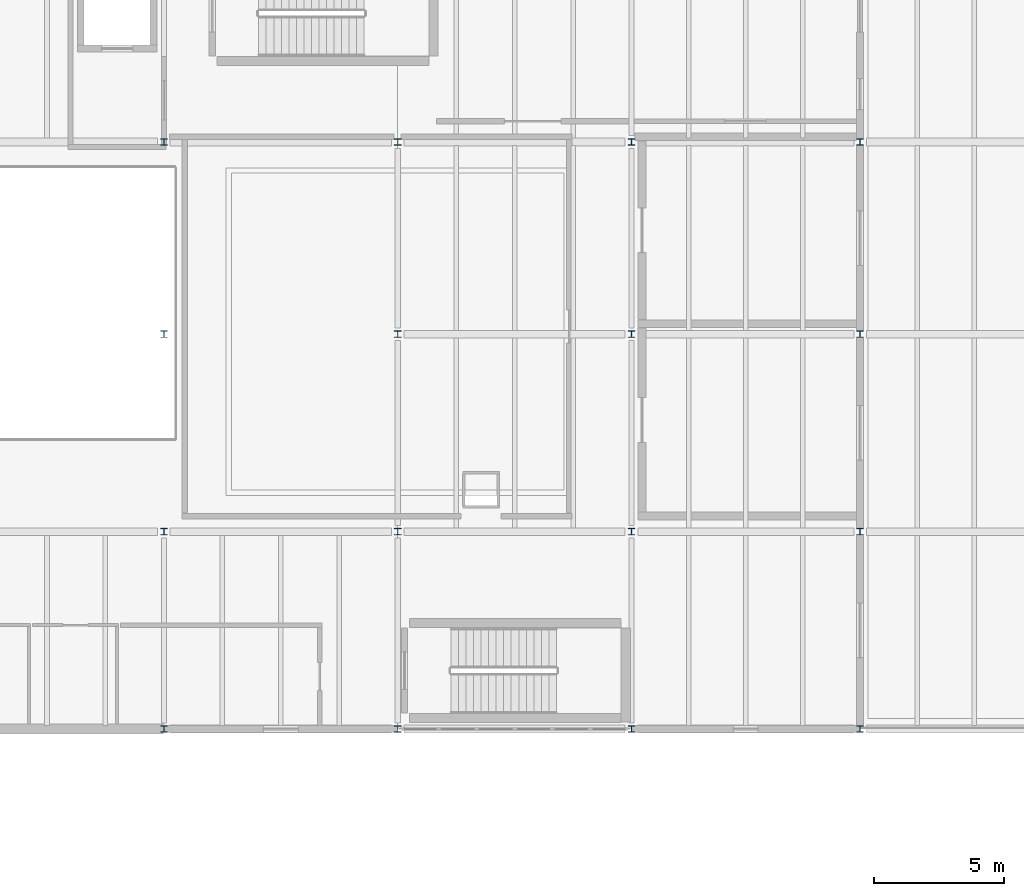
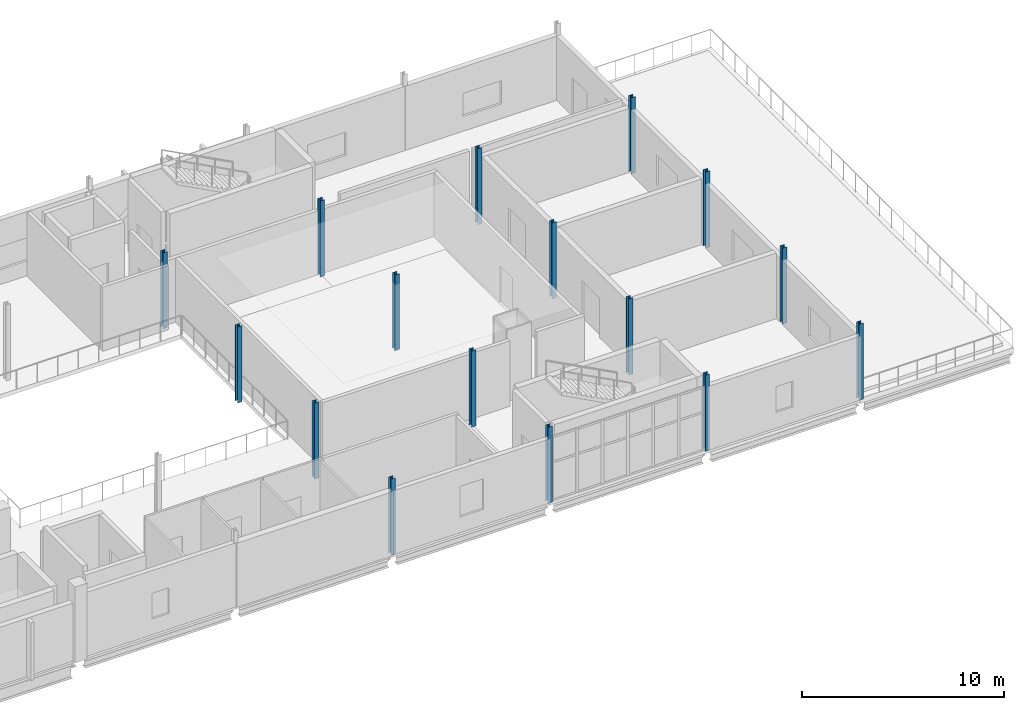
# One storey, part 4 of 37: 16 columns.
"""IFC4 building model written with IfcOpenShell, lengths in metres."""

from ifc_helpers import new_model, si_unit, direction, frame, origin, origin_2d, place, context, subcontext, project, spatial, i_section, extrude, material, material_profile, profile_set, type_object, element, save


model = new_model("IFC4")

# Units and contexts
model_context = context("Model", 3, precision=1e-05, world=origin(), true_north=direction((0.0, 1.0)))
body_context = subcontext(model_context, "Body", "Model", "MODEL_VIEW")
ifc_project = project(units=[si_unit("LENGTHUNIT", "METRE"), si_unit("AREAUNIT", "SQUARE_METRE"), si_unit("VOLUMEUNIT", "CUBIC_METRE"), si_unit("PLANEANGLEUNIT", "RADIAN"), si_unit("MASSUNIT", "GRAM", prefix="KILO")], contexts=[model_context])

# Site, building, storey
site_placement = place(None, origin())
site = spatial("IfcSite", under=ifc_project, at=site_placement, CompositionType="ELEMENT")
building_placement = place(site_placement, origin())
building = spatial("IfcBuilding", under=site, at=building_placement, Name="Shengluoqiao Park Theatre", CompositionType="ELEMENT")
storey_placement = place(building_placement, frame((0.0, 0.0, 19.199951171875)))
storey = spatial("IfcBuildingStorey", under=building, at=storey_placement, Name="L04", CompositionType="ELEMENT", Elevation=19.199951171875)

# Columns
ifc_material = material(Name="Steel Q355", Category="steel")
ifc_material_profile = material_profile(ifc_material, i_section(OverallWidth=0.2548828125, OverallDepth=0.25, WebThickness=0.013916015625, FlangeThickness=0.013916015625, FilletRadius=0.01611328125, at=origin_2d()), Name="HW 250x255x14x14")
ifc_profile_set = profile_set([ifc_material_profile], Name="Steel Q355")
column_type = type_object("IfcColumnType", Name="STR-COL-C-HW255", PredefinedType="COLUMN", material=ifc_profile_set)
for number, where, z_axis, x_axis, name in (
    (1, (130.39990234375, 84.0, 0.0), (0.0, 0.0, 1.0), (1.0, 0.0, 0.0), "L04 Column 0640"),
    (2, (130.39990234375, 91.60009765625, 0.0), (0.0, 0.0, 1.0), (1.0, 0.0, 0.0), "L04 Column 0647"),
    (3, (130.39990234375, 99.199951171875, 0.0), (0.0, 0.0, 1.0), (1.0, 0.0, 0.0), "L04 Column 0654"),
    (4, (130.39990234375, 106.60009765625, 0.0), (0.0, 0.0, 1.0), (1.0, 0.0, 0.0), "L04 Column 0661"),
    (5, (139.39990234375, 84.0, 0.0), (0.0, 0.0, 1.0), (1.0, 0.0, 0.0), "L04 Column 0685"),
    (6, (139.39990234375, 91.60009765625, 0.0), (0.0, 0.0, 1.0), (1.0, 0.0, 0.0), "L04 Column 0692"),
    (7, (139.39990234375, 99.199951171875, 0.0), (0.0, 0.0, 1.0), (1.0, 0.0, 0.0), "L04 Column 0699"),
    (8, (139.39990234375, 106.60009765625, 0.0), (0.0, 0.0, 1.0), (1.0, 0.0, 0.0), "L04 Column 0706"),
    (9, (148.39990234375, 84.0, 0.0), (0.0, 0.0, 1.0), (1.0, 0.0, 0.0), "L04 Column 0742"),
    (10, (148.39990234375, 91.60009765625, 0.0), (0.0, 0.0, 1.0), (1.0, 0.0, 0.0), "L04 Column 0749"),
    (11, (148.39990234375, 99.199951171875, 0.0), (0.0, 0.0, 1.0), (1.0, 0.0, 0.0), "L04 Column 0756"),
    (12, (148.39990234375, 106.60009765625, 0.0), (0.0, 0.0, 1.0), (1.0, 0.0, 0.0), "L04 Column 0763"),
    (13, (157.199951171875, 84.0, 0.0), (0.0, 0.0, 1.0), (1.0, 0.0, 0.0), "L04 Column 0807"),
    (14, (157.199951171875, 91.60009765625, 0.0), (0.0, 0.0, 1.0), (1.0, 0.0, 0.0), "L04 Column 0813"),
    (15, (157.199951171875, 99.199951171875, 0.0), (0.0, 0.0, 1.0), (1.0, 0.0, 0.0), "L04 Column 0819"),
    (16, (157.199951171875, 106.60009765625, 0.0), (0.0, 0.0, 1.0), (1.0, 0.0, 0.0), "L04 Column 0825"),
):
    element("IfcColumn", number, at=place(storey_placement, frame(where, z_axis=z_axis, x_axis=x_axis)), inside=storey, type_object=column_type, Name=name, PredefinedType="COLUMN", context=body_context, shape_type="SweptSolid", body=[
        extrude(i_section(OverallWidth=0.2548828125, OverallDepth=0.25, WebThickness=0.013916015625, FlangeThickness=0.013916015625, FilletRadius=0.01611328125, at=origin_2d()), origin(), (0.0, 0.0, 1.0), 4.60009765625),
    ])

save(model, "model.ifc")
